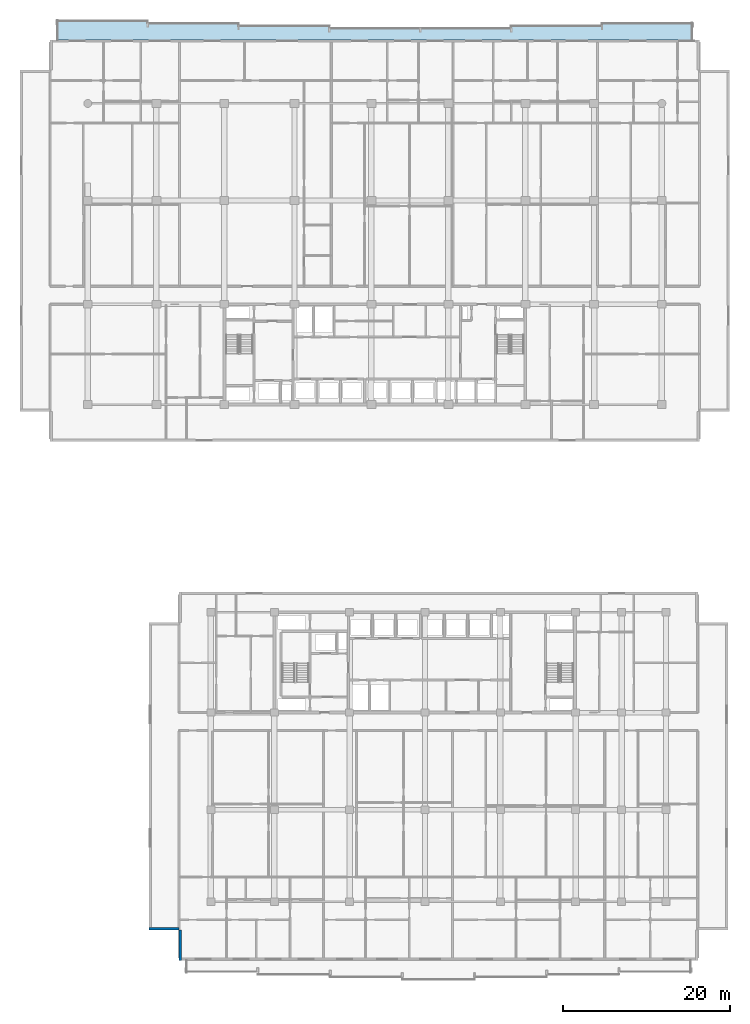
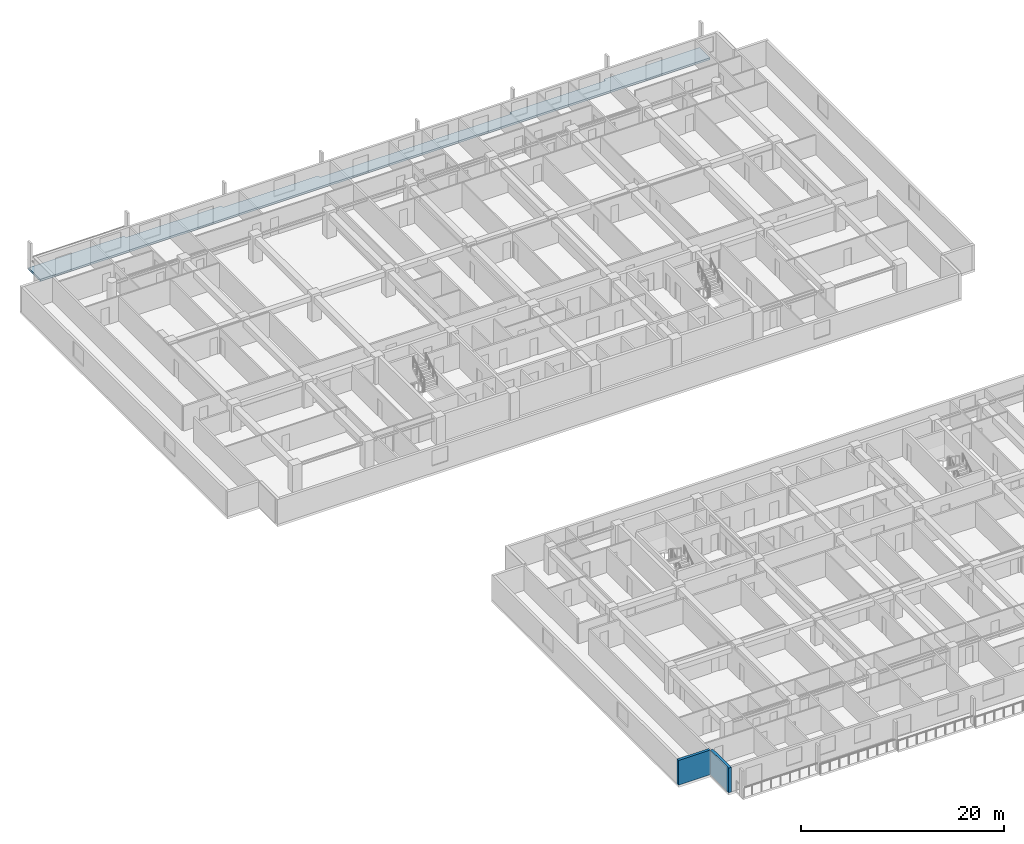
# One storey, part 3 of 24: 2 walls, 1 slab.
"""IFC4 building model written with IfcOpenShell, lengths in metres."""

from ifc_helpers import new_model, si_unit, direction, frame, frame_2d, origin, place, context, subcontext, project, spatial, polyline, rectangle, outline, extrude, material, layer, layer_set, type_object, element, save


model = new_model("IFC4")

# Units and contexts
model_context = context("Model", 3, precision=1e-05, world=origin(), true_north=direction((0.0, 1.0)))
body_context = subcontext(model_context, "Body", "Model", "MODEL_VIEW")
ifc_project = project(units=[si_unit("LENGTHUNIT", "METRE"), si_unit("AREAUNIT", "SQUARE_METRE"), si_unit("VOLUMEUNIT", "CUBIC_METRE"), si_unit("PLANEANGLEUNIT", "RADIAN"), si_unit("MASSUNIT", "GRAM", prefix="KILO")], contexts=[model_context])

# Site, building, storey
site_placement = place(None, origin())
site = spatial("IfcSite", under=ifc_project, at=site_placement, CompositionType="ELEMENT")
building_placement = place(site_placement, origin())
building = spatial("IfcBuilding", under=site, at=building_placement, Name="Korimba Cascade Residences", CompositionType="ELEMENT")
storey_placement = place(building_placement, frame((0.0, 0.0, 43.5)))
storey = spatial("IfcBuildingStorey", under=building, at=storey_placement, Name="L11", CompositionType="ELEMENT", Elevation=43.5)

# Slab
ifc_material = material(Name="Precast concrete C40/50", Category="concrete")
ifc_layer_1 = layer(ifc_material, 0.239990234375)
ifc_layer_set_1 = layer_set([ifc_layer_1], Name="Precast concrete C40/50")
slab_type = type_object("IfcSlabType", Name="SLB-LOG-240", PredefinedType="FLOOR", material=ifc_layer_set_1)
slab_placement = place(storey_placement, frame((0.0, 0.0, -0.239990234375)))
element("IfcSlab", 1, at=slab_placement, inside=storey, type_object=slab_type, Name="L11 Tower 1 North Loggia Slab", PredefinedType="FLOOR", context=body_context, shape_type="SweptSolid", body=[
    extrude(outline(polyline([(56.10009765625, 98.800048828125), (132.10009765625, 98.800048828125), (132.10009765625, 100.85009765625), (121.242919921875, 100.85009765625), (121.242919921875, 100.550048828125), (110.3857421875, 100.550048828125), (110.3857421875, 100.25), (88.67138671875, 100.25), (88.67138671875, 100.550048828125), (77.814208984375, 100.550048828125), (77.814208984375, 100.85009765625), (66.95703125, 100.85009765625), (66.95703125, 101.14990234375), (56.10009765625, 101.14990234375), (56.10009765625, 98.800048828125)])), origin(), (0.0, 0.0, 1.0), 0.239990234375),
])

# Walls
ifc_layer_2 = layer(ifc_material, 0.300048828125)
ifc_layer_set_2 = layer_set([ifc_layer_2], Name="Precast concrete C40/50")
wall_type = type_object("IfcWallType", Name="EW-STONE-300", PredefinedType="STANDARD", material=ifc_layer_set_2)
for number, where, z_axis, x_axis, name in (
    (2, (67.10009765625, -7.449951171875, 0.0), (0.0, 0.0, 1.0), (1.0, 0.0, 0.0), "L11 T2 Perimeter Stone Wall E10"),
    (3, (70.85009765625, -7.60009765625, 0.0), (0.0, 0.0, 1.0), (0.0, -1.0, 0.0), "L11 T2 Perimeter Stone Wall E11"),
):
    element("IfcWall", number, at=place(storey_placement, frame(where, z_axis=z_axis, x_axis=x_axis)), inside=storey, type_object=wall_type, Name=name, PredefinedType="STANDARD", context=body_context, shape_type="SweptSolid", body=[
        extrude(rectangle(XDim=3.599853515625, YDim=0.300048828125, at=frame_2d((1.7998046875, 0.0))), origin(), (0.0, 0.0, 1.0), 2.969970703125),
    ])

save(model, "model.ifc")
